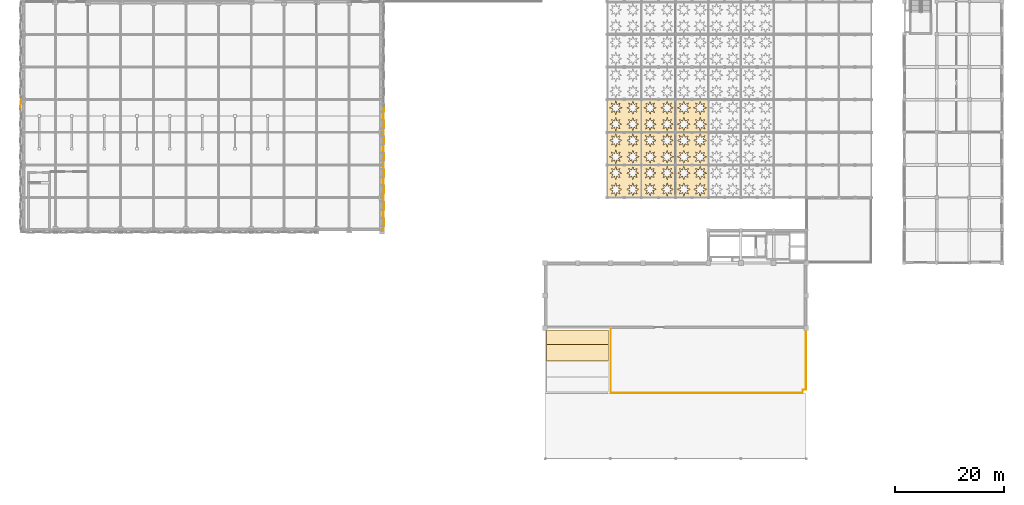
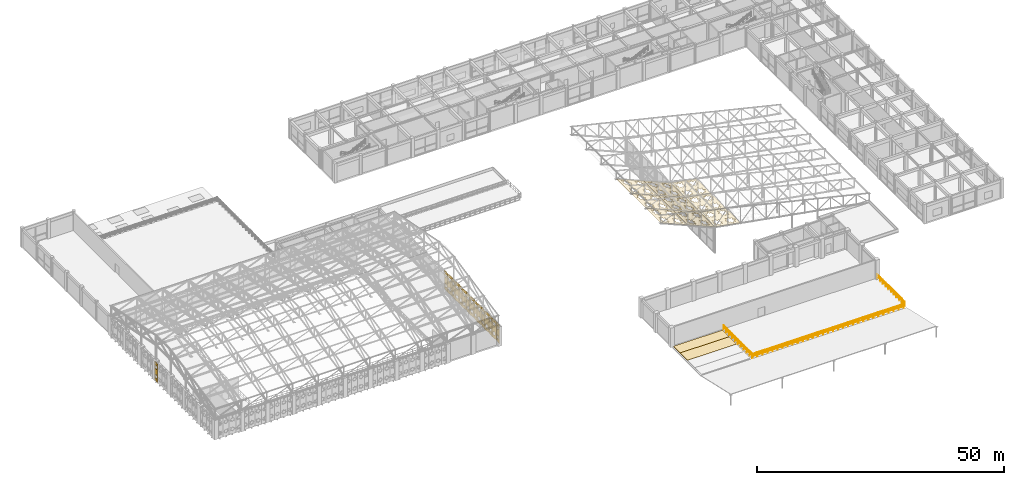
# One storey, part 107 of 112: 27 coverings, 2 railings.
"""IFC4 building model written with IfcOpenShell, lengths in metres."""

from ifc_helpers import new_model, si_unit, direction, frame, origin, origin_2d, place, context, subcontext, project, spatial, polyline, circle, outline, extrude, material, layer, layer_set, type_object, element, save


model = new_model("IFC4")

# Units and contexts
model_context = context("Model", 3, precision=1e-05, world=origin(), true_north=direction((0.0, 1.0)))
body_context = subcontext(model_context, "Body", "Model", "MODEL_VIEW")
ifc_project = project(units=[si_unit("LENGTHUNIT", "METRE"), si_unit("AREAUNIT", "SQUARE_METRE"), si_unit("VOLUMEUNIT", "CUBIC_METRE"), si_unit("PLANEANGLEUNIT", "RADIAN"), si_unit("MASSUNIT", "GRAM", prefix="KILO"), si_unit("THERMODYNAMICTEMPERATUREUNIT", "KELVIN"), si_unit("POWERUNIT", "WATT")], contexts=[model_context])

# Site, building, storey
site_placement = place(None, origin())
site = spatial("IfcSite", under=ifc_project, at=site_placement, CompositionType="ELEMENT")
building_placement = place(site_placement, origin())
building = spatial("IfcBuilding", under=site, at=building_placement, Name="Phaisarnlok Congress Hotel", CompositionType="ELEMENT")
storey_placement = place(building_placement, frame((0.0, 0.0, 19.800048828125)))
storey = spatial("IfcBuildingStorey", under=building, at=storey_placement, Name="L04", CompositionType="ELEMENT", Elevation=19.800048828125)

# Coverings
ifc_material_1 = material(Name="TPO Waterproofing Membrane & Rigid PIR Insulation", Category="other")
ifc_layer_1 = layer(ifc_material_1, 0.050048828125, Name="TPO Waterproofing Membrane & Rigid PIR Insulation")
ifc_layer_set_1 = layer_set([ifc_layer_1], Name="TPO Waterproofing Membrane & Rigid PIR Insulation")
covering_type_1 = type_object("IfcCoveringType", Name="COV-ROOF-MEMB", PredefinedType="ROOFING", material=ifc_layer_set_1)
covering_1_placement = place(storey_placement, origin())
element("IfcCovering", 1, at=covering_1_placement, inside=storey, type_object=covering_type_1, Name="Ballroom west roof waterproofing membrane RF-01", PredefinedType="ROOFING", context=body_context, shape_type="SweptSolid", body=[
    extrude(outline(polyline([(96.300048828125, 18.0), (107.699951171875, 18.0), (107.699951171875, 21.0), (96.300048828125, 21.0), (96.300048828125, 18.0)])), origin(), (0.0, 0.0, 1.0), 0.050048828125),
])
covering_2_placement = place(storey_placement, origin())
element("IfcCovering", 2, at=covering_2_placement, inside=storey, type_object=covering_type_1, Name="Ballroom west roof waterproofing membrane RF-01", PredefinedType="ROOFING", context=body_context, shape_type="SweptSolid", body=[
    extrude(outline(polyline([(96.300048828125, 21.0), (107.699951171875, 21.0), (107.699951171875, 23.699951171875), (96.300048828125, 23.699951171875), (96.300048828125, 21.0)])), origin(), (0.0, 0.0, 1.0), 0.050048828125),
])
ifc_material_2 = material(Name="Perforated Acoustic Aluminium Soffit Panel", Category="aluminium")
ifc_layer_2 = layer(ifc_material_2, 0.044921875, Name="Perforated Acoustic Aluminium Soffit Panel")
ifc_layer_set_2 = layer_set([ifc_layer_2], Name="Perforated Acoustic Aluminium Soffit Panel")
covering_type_2 = type_object("IfcCoveringType", Name="COV-SOFFIT-STAR", PredefinedType="CLADDING", material=ifc_layer_set_2)
covering_3_placement = place(storey_placement, frame((126.0, 48.0, 5.353271484375), z_axis=(0.175030745743, 0.0, 0.984562968044), x_axis=(0.0, 1.0, 0.0)))
element("IfcCovering", 3, at=covering_3_placement, inside=storey, type_object=covering_type_2, Name="Cloister wing roof star-pierced acoustic soffit panel CL-01", PredefinedType="CLADDING", context=body_context, shape_type="SweptSolid", body=[
    extrude(outline(polyline([(0.0, 0.0), (6.0, 0.0), (6.0, 6.094074421585321), (0.0, 6.094074421585321), (0.0, 0.0)]), holes=[polyline([(2.0455, 1.2976), (2.3697, 0.6538), (1.7259, 0.9781), (1.5, 0.2935), (1.2741, 0.9781), (0.6303, 0.6538), (0.9545, 1.2976), (0.27, 1.5235), (0.9545, 1.7495), (0.6303, 2.3933), (1.2741, 2.069), (1.5, 2.7535), (1.7259, 2.069), (2.3697, 2.3933), (2.0455, 1.7495), (2.73, 1.5235), (2.0455, 1.2976)]), polyline([(2.0455, 4.3446), (2.3697, 3.7008), (1.7259, 4.0251), (1.5, 3.3406), (1.2741, 4.0251), (0.6303, 3.7008), (0.9545, 4.3446), (0.27, 4.5706), (0.9545, 4.7965), (0.6303, 5.4403), (1.2741, 5.116), (1.5, 5.8006), (1.7259, 5.116), (2.3697, 5.4403), (2.0455, 4.7965), (2.73, 4.5706), (2.0455, 4.3446)]), polyline([(5.0455, 1.2976), (5.3697, 0.6538), (4.7259, 0.9781), (4.5, 0.2935), (4.2741, 0.9781), (3.6303, 0.6538), (3.9545, 1.2976), (3.27, 1.5235), (3.9545, 1.7495), (3.6303, 2.3933), (4.2741, 2.069), (4.5, 2.7535), (4.7259, 2.069), (5.3697, 2.3933), (5.0455, 1.7495), (5.73, 1.5235), (5.0455, 1.2976)]), polyline([(5.0455, 4.3446), (5.3697, 3.7008), (4.7259, 4.0251), (4.5, 3.3406), (4.2741, 4.0251), (3.6303, 3.7008), (3.9545, 4.3446), (3.27, 4.5706), (3.9545, 4.7965), (3.6303, 5.4403), (4.2741, 5.116), (4.5, 5.8006), (4.7259, 5.116), (5.3697, 5.4403), (5.0455, 4.7965), (5.73, 4.5706), (5.0455, 4.3446)])]), origin(), (0.0, 0.0, 1.0), 0.044921875),
])
covering_4_placement = place(storey_placement, frame((120.0, 48.0, 6.419921875), z_axis=(0.393910700868, 0.0, 0.919148714704), x_axis=(0.0, 1.0, 0.0)))
element("IfcCovering", 4, at=covering_4_placement, inside=storey, type_object=covering_type_2, Name="Cloister wing roof star-pierced acoustic soffit panel CL-01", PredefinedType="CLADDING", context=body_context, shape_type="SweptSolid", body=[
    extrude(outline(polyline([(0.0, 0.0), (6.0, 0.0), (6.0, 6.854221441365048), (0.0, 6.854221441365048), (0.0, 0.0)]), holes=[polyline([(2.0455, 1.4876), (2.3697, 0.8438), (1.7259, 1.1681), (1.5, 0.4835), (1.2741, 1.1681), (0.6303, 0.8438), (0.9545, 1.4876), (0.27, 1.7135), (0.9545, 1.9395), (0.6303, 2.5833), (1.2741, 2.259), (1.5, 2.9435), (1.7259, 2.259), (2.3697, 2.5833), (2.0455, 1.9395), (2.73, 1.7135), (2.0455, 1.4876)]), polyline([(2.0455, 4.9147), (2.3697, 4.2709), (1.7259, 4.5952), (1.5, 3.9106), (1.2741, 4.5952), (0.6303, 4.2709), (0.9545, 4.9147), (0.27, 5.1406), (0.9545, 5.3666), (0.6303, 6.0104), (1.2741, 5.6861), (1.5, 6.3706), (1.7259, 5.6861), (2.3697, 6.0104), (2.0455, 5.3666), (2.73, 5.1406), (2.0455, 4.9147)]), polyline([(5.0455, 1.4876), (5.3697, 0.8438), (4.7259, 1.1681), (4.5, 0.4835), (4.2741, 1.1681), (3.6303, 0.8438), (3.9545, 1.4876), (3.27, 1.7135), (3.9545, 1.9395), (3.6303, 2.5833), (4.2741, 2.259), (4.5, 2.9435), (4.7259, 2.259), (5.3697, 2.5833), (5.0455, 1.9395), (5.73, 1.7135), (5.0455, 1.4876)]), polyline([(5.0455, 4.9147), (5.3697, 4.2709), (4.7259, 4.5952), (4.5, 3.9106), (4.2741, 4.5952), (3.6303, 4.2709), (3.9545, 4.9147), (3.27, 5.1406), (3.9545, 5.3666), (3.6303, 6.0104), (4.2741, 5.6861), (4.5, 6.3706), (4.7259, 5.6861), (5.3697, 6.0104), (5.0455, 5.3666), (5.73, 5.1406), (5.0455, 4.9147)])]), origin(), (0.0, 0.0, 1.0), 0.044921875),
])
covering_5_placement = place(storey_placement, frame((113.699951171875, 48.0, 9.119873046875), z_axis=(0.393940792404, 0.0, 0.919135818081), x_axis=(0.0, 1.0, 0.0)))
element("IfcCovering", 5, at=covering_5_placement, inside=storey, type_object=covering_type_2, Name="Cloister wing roof star-pierced acoustic soffit panel CL-01", PredefinedType="CLADDING", context=body_context, shape_type="SweptSolid", body=[
    extrude(outline(polyline([(0.0, 0.0), (6.0, 0.0), (6.0, 6.854317614643062), (0.0, 6.854317614643062), (0.0, 0.0)]), holes=[polyline([(2.0455, 1.4876), (2.3697, 0.8438), (1.7259, 1.1681), (1.5, 0.4835), (1.2741, 1.1681), (0.6303, 0.8438), (0.9545, 1.4876), (0.27, 1.7135), (0.9545, 1.9395), (0.6303, 2.5833), (1.2741, 2.259), (1.5, 2.9435), (1.7259, 2.259), (2.3697, 2.5833), (2.0455, 1.9395), (2.73, 1.7135), (2.0455, 1.4876)]), polyline([(2.0455, 4.9147), (2.3697, 4.2709), (1.7259, 4.5952), (1.5, 3.9106), (1.2741, 4.5952), (0.6303, 4.2709), (0.9545, 4.9147), (0.27, 5.1406), (0.9545, 5.3666), (0.6303, 6.0104), (1.2741, 5.6861), (1.5, 6.3706), (1.7259, 5.6861), (2.3697, 6.0104), (2.0455, 5.3666), (2.73, 5.1406), (2.0455, 4.9147)]), polyline([(5.0455, 1.4876), (5.3697, 0.8438), (4.7259, 1.1681), (4.5, 0.4835), (4.2741, 1.1681), (3.6303, 0.8438), (3.9545, 1.4876), (3.27, 1.7135), (3.9545, 1.9395), (3.6303, 2.5833), (4.2741, 2.259), (4.5, 2.9435), (4.7259, 2.259), (5.3697, 2.5833), (5.0455, 1.9395), (5.73, 1.7135), (5.0455, 1.4876)]), polyline([(5.0455, 4.9147), (5.3697, 4.2709), (4.7259, 4.5952), (4.5, 3.9106), (4.2741, 4.5952), (3.6303, 4.2709), (3.9545, 4.9147), (3.27, 5.1406), (3.9545, 5.3666), (3.6303, 6.0104), (4.2741, 5.6861), (4.5, 6.3706), (4.7259, 5.6861), (5.3697, 6.0104), (5.0455, 5.3666), (5.73, 5.1406), (5.0455, 4.9147)])]), origin(), (0.0, 0.0, 1.0), 0.044921875),
])
covering_6_placement = place(storey_placement, frame((126.0, 54.0, 5.353271484375), z_axis=(0.175030745743, 0.0, 0.984562968044), x_axis=(0.0, 1.0, 0.0)))
element("IfcCovering", 6, at=covering_6_placement, inside=storey, type_object=covering_type_2, Name="Cloister wing roof star-pierced acoustic soffit panel CL-01", PredefinedType="CLADDING", context=body_context, shape_type="SweptSolid", body=[
    extrude(outline(polyline([(0.0, 0.0), (6.0, 0.0), (6.0, 6.094074421585321), (0.0, 6.094074421585321), (0.0, 0.0)]), holes=[polyline([(2.0455, 1.2976), (2.3697, 0.6538), (1.7259, 0.9781), (1.5, 0.2935), (1.2741, 0.9781), (0.6303, 0.6538), (0.9545, 1.2976), (0.27, 1.5235), (0.9545, 1.7495), (0.6303, 2.3933), (1.2741, 2.069), (1.5, 2.7535), (1.7259, 2.069), (2.3697, 2.3933), (2.0455, 1.7495), (2.73, 1.5235), (2.0455, 1.2976)]), polyline([(2.0455, 4.3446), (2.3697, 3.7008), (1.7259, 4.0251), (1.5, 3.3406), (1.2741, 4.0251), (0.6303, 3.7008), (0.9545, 4.3446), (0.27, 4.5706), (0.9545, 4.7965), (0.6303, 5.4403), (1.2741, 5.116), (1.5, 5.8006), (1.7259, 5.116), (2.3697, 5.4403), (2.0455, 4.7965), (2.73, 4.5706), (2.0455, 4.3446)]), polyline([(5.0455, 1.2976), (5.3697, 0.6538), (4.7259, 0.9781), (4.5, 0.2935), (4.2741, 0.9781), (3.6303, 0.6538), (3.9545, 1.2976), (3.27, 1.5235), (3.9545, 1.7495), (3.6303, 2.3933), (4.2741, 2.069), (4.5, 2.7535), (4.7259, 2.069), (5.3697, 2.3933), (5.0455, 1.7495), (5.73, 1.5235), (5.0455, 1.2976)]), polyline([(5.0455, 4.3446), (5.3697, 3.7008), (4.7259, 4.0251), (4.5, 3.3406), (4.2741, 4.0251), (3.6303, 3.7008), (3.9545, 4.3446), (3.27, 4.5706), (3.9545, 4.7965), (3.6303, 5.4403), (4.2741, 5.116), (4.5, 5.8006), (4.7259, 5.116), (5.3697, 5.4403), (5.0455, 4.7965), (5.73, 4.5706), (5.0455, 4.3446)])]), origin(), (0.0, 0.0, 1.0), 0.044921875),
])
covering_7_placement = place(storey_placement, frame((120.0, 54.0, 6.419921875), z_axis=(0.393910700868, 0.0, 0.919148714704), x_axis=(0.0, 1.0, 0.0)))
element("IfcCovering", 7, at=covering_7_placement, inside=storey, type_object=covering_type_2, Name="Cloister wing roof star-pierced acoustic soffit panel CL-01", PredefinedType="CLADDING", context=body_context, shape_type="SweptSolid", body=[
    extrude(outline(polyline([(0.0, 0.0), (6.0, 0.0), (6.0, 6.854221441365048), (0.0, 6.854221441365048), (0.0, 0.0)]), holes=[polyline([(2.0455, 1.4876), (2.3697, 0.8438), (1.7259, 1.1681), (1.5, 0.4835), (1.2741, 1.1681), (0.6303, 0.8438), (0.9545, 1.4876), (0.27, 1.7135), (0.9545, 1.9395), (0.6303, 2.5833), (1.2741, 2.259), (1.5, 2.9435), (1.7259, 2.259), (2.3697, 2.5833), (2.0455, 1.9395), (2.73, 1.7135), (2.0455, 1.4876)]), polyline([(2.0455, 4.9147), (2.3697, 4.2709), (1.7259, 4.5952), (1.5, 3.9106), (1.2741, 4.5952), (0.6303, 4.2709), (0.9545, 4.9147), (0.27, 5.1406), (0.9545, 5.3666), (0.6303, 6.0104), (1.2741, 5.6861), (1.5, 6.3706), (1.7259, 5.6861), (2.3697, 6.0104), (2.0455, 5.3666), (2.73, 5.1406), (2.0455, 4.9147)]), polyline([(5.0455, 1.4876), (5.3697, 0.8438), (4.7259, 1.1681), (4.5, 0.4835), (4.2741, 1.1681), (3.6303, 0.8438), (3.9545, 1.4876), (3.27, 1.7135), (3.9545, 1.9395), (3.6303, 2.5833), (4.2741, 2.259), (4.5, 2.9435), (4.7259, 2.259), (5.3697, 2.5833), (5.0455, 1.9395), (5.73, 1.7135), (5.0455, 1.4876)]), polyline([(5.0455, 4.9147), (5.3697, 4.2709), (4.7259, 4.5952), (4.5, 3.9106), (4.2741, 4.5952), (3.6303, 4.2709), (3.9545, 4.9147), (3.27, 5.1406), (3.9545, 5.3666), (3.6303, 6.0104), (4.2741, 5.6861), (4.5, 6.3706), (4.7259, 5.6861), (5.3697, 6.0104), (5.0455, 5.3666), (5.73, 5.1406), (5.0455, 4.9147)])]), origin(), (0.0, 0.0, 1.0), 0.044921875),
])
covering_8_placement = place(storey_placement, frame((113.699951171875, 54.0, 9.119873046875), z_axis=(0.393940792404, 0.0, 0.919135818081), x_axis=(0.0, 1.0, 0.0)))
element("IfcCovering", 8, at=covering_8_placement, inside=storey, type_object=covering_type_2, Name="Cloister wing roof star-pierced acoustic soffit panel CL-01", PredefinedType="CLADDING", context=body_context, shape_type="SweptSolid", body=[
    extrude(outline(polyline([(0.0, 0.0), (6.0, 0.0), (6.0, 6.854317614643062), (0.0, 6.854317614643062), (0.0, 0.0)]), holes=[polyline([(2.0455, 1.4876), (2.3697, 0.8438), (1.7259, 1.1681), (1.5, 0.4835), (1.2741, 1.1681), (0.6303, 0.8438), (0.9545, 1.4876), (0.27, 1.7135), (0.9545, 1.9395), (0.6303, 2.5833), (1.2741, 2.259), (1.5, 2.9435), (1.7259, 2.259), (2.3697, 2.5833), (2.0455, 1.9395), (2.73, 1.7135), (2.0455, 1.4876)]), polyline([(2.0455, 4.9147), (2.3697, 4.2709), (1.7259, 4.5952), (1.5, 3.9106), (1.2741, 4.5952), (0.6303, 4.2709), (0.9545, 4.9147), (0.27, 5.1406), (0.9545, 5.3666), (0.6303, 6.0104), (1.2741, 5.6861), (1.5, 6.3706), (1.7259, 5.6861), (2.3697, 6.0104), (2.0455, 5.3666), (2.73, 5.1406), (2.0455, 4.9147)]), polyline([(5.0455, 1.4876), (5.3697, 0.8438), (4.7259, 1.1681), (4.5, 0.4835), (4.2741, 1.1681), (3.6303, 0.8438), (3.9545, 1.4876), (3.27, 1.7135), (3.9545, 1.9395), (3.6303, 2.5833), (4.2741, 2.259), (4.5, 2.9435), (4.7259, 2.259), (5.3697, 2.5833), (5.0455, 1.9395), (5.73, 1.7135), (5.0455, 1.4876)]), polyline([(5.0455, 4.9147), (5.3697, 4.2709), (4.7259, 4.5952), (4.5, 3.9106), (4.2741, 4.5952), (3.6303, 4.2709), (3.9545, 4.9147), (3.27, 5.1406), (3.9545, 5.3666), (3.6303, 6.0104), (4.2741, 5.6861), (4.5, 6.3706), (4.7259, 5.6861), (5.3697, 6.0104), (5.0455, 5.3666), (5.73, 5.1406), (5.0455, 4.9147)])]), origin(), (0.0, 0.0, 1.0), 0.044921875),
])
covering_9_placement = place(storey_placement, frame((126.0, 60.0, 5.353271484375), z_axis=(0.175030745743, 0.0, 0.984562968044), x_axis=(0.0, 1.0, 0.0)))
element("IfcCovering", 9, at=covering_9_placement, inside=storey, type_object=covering_type_2, Name="Cloister wing roof star-pierced acoustic soffit panel CL-01", PredefinedType="CLADDING", context=body_context, shape_type="SweptSolid", body=[
    extrude(outline(polyline([(0.0, 0.0), (6.0, 0.0), (6.0, 6.094074421585321), (0.0, 6.094074421585321), (0.0, 0.0)]), holes=[polyline([(2.0455, 1.2976), (2.3697, 0.6538), (1.7259, 0.9781), (1.5, 0.2935), (1.2741, 0.9781), (0.6303, 0.6538), (0.9545, 1.2976), (0.27, 1.5235), (0.9545, 1.7495), (0.6303, 2.3933), (1.2741, 2.069), (1.5, 2.7535), (1.7259, 2.069), (2.3697, 2.3933), (2.0455, 1.7495), (2.73, 1.5235), (2.0455, 1.2976)]), polyline([(2.0455, 4.3446), (2.3697, 3.7008), (1.7259, 4.0251), (1.5, 3.3406), (1.2741, 4.0251), (0.6303, 3.7008), (0.9545, 4.3446), (0.27, 4.5706), (0.9545, 4.7965), (0.6303, 5.4403), (1.2741, 5.116), (1.5, 5.8006), (1.7259, 5.116), (2.3697, 5.4403), (2.0455, 4.7965), (2.73, 4.5706), (2.0455, 4.3446)]), polyline([(5.0455, 1.2976), (5.3697, 0.6538), (4.7259, 0.9781), (4.5, 0.2935), (4.2741, 0.9781), (3.6303, 0.6538), (3.9545, 1.2976), (3.27, 1.5235), (3.9545, 1.7495), (3.6303, 2.3933), (4.2741, 2.069), (4.5, 2.7535), (4.7259, 2.069), (5.3697, 2.3933), (5.0455, 1.7495), (5.73, 1.5235), (5.0455, 1.2976)]), polyline([(5.0455, 4.3446), (5.3697, 3.7008), (4.7259, 4.0251), (4.5, 3.3406), (4.2741, 4.0251), (3.6303, 3.7008), (3.9545, 4.3446), (3.27, 4.5706), (3.9545, 4.7965), (3.6303, 5.4403), (4.2741, 5.116), (4.5, 5.8006), (4.7259, 5.116), (5.3697, 5.4403), (5.0455, 4.7965), (5.73, 4.5706), (5.0455, 4.3446)])]), origin(), (0.0, 0.0, 1.0), 0.044921875),
])
covering_10_placement = place(storey_placement, frame((120.0, 60.0, 6.419921875), z_axis=(0.393910700868, 0.0, 0.919148714704), x_axis=(0.0, 1.0, 0.0)))
element("IfcCovering", 10, at=covering_10_placement, inside=storey, type_object=covering_type_2, Name="Cloister wing roof star-pierced acoustic soffit panel CL-01", PredefinedType="CLADDING", context=body_context, shape_type="SweptSolid", body=[
    extrude(outline(polyline([(0.0, 0.0), (6.0, 0.0), (6.0, 6.854221441365048), (0.0, 6.854221441365048), (0.0, 0.0)]), holes=[polyline([(2.0455, 1.4876), (2.3697, 0.8438), (1.7259, 1.1681), (1.5, 0.4835), (1.2741, 1.1681), (0.6303, 0.8438), (0.9545, 1.4876), (0.27, 1.7135), (0.9545, 1.9395), (0.6303, 2.5833), (1.2741, 2.259), (1.5, 2.9435), (1.7259, 2.259), (2.3697, 2.5833), (2.0455, 1.9395), (2.73, 1.7135), (2.0455, 1.4876)]), polyline([(2.0455, 4.9147), (2.3697, 4.2709), (1.7259, 4.5952), (1.5, 3.9106), (1.2741, 4.5952), (0.6303, 4.2709), (0.9545, 4.9147), (0.27, 5.1406), (0.9545, 5.3666), (0.6303, 6.0104), (1.2741, 5.6861), (1.5, 6.3706), (1.7259, 5.6861), (2.3697, 6.0104), (2.0455, 5.3666), (2.73, 5.1406), (2.0455, 4.9147)]), polyline([(5.0455, 1.4876), (5.3697, 0.8438), (4.7259, 1.1681), (4.5, 0.4835), (4.2741, 1.1681), (3.6303, 0.8438), (3.9545, 1.4876), (3.27, 1.7135), (3.9545, 1.9395), (3.6303, 2.5833), (4.2741, 2.259), (4.5, 2.9435), (4.7259, 2.259), (5.3697, 2.5833), (5.0455, 1.9395), (5.73, 1.7135), (5.0455, 1.4876)]), polyline([(5.0455, 4.9147), (5.3697, 4.2709), (4.7259, 4.5952), (4.5, 3.9106), (4.2741, 4.5952), (3.6303, 4.2709), (3.9545, 4.9147), (3.27, 5.1406), (3.9545, 5.3666), (3.6303, 6.0104), (4.2741, 5.6861), (4.5, 6.3706), (4.7259, 5.6861), (5.3697, 6.0104), (5.0455, 5.3666), (5.73, 5.1406), (5.0455, 4.9147)])]), origin(), (0.0, 0.0, 1.0), 0.044921875),
])
covering_11_placement = place(storey_placement, frame((113.699951171875, 60.0, 9.119873046875), z_axis=(0.393940792404, 0.0, 0.919135818081), x_axis=(0.0, 1.0, 0.0)))
element("IfcCovering", 11, at=covering_11_placement, inside=storey, type_object=covering_type_2, Name="Cloister wing roof star-pierced acoustic soffit panel CL-01", PredefinedType="CLADDING", context=body_context, shape_type="SweptSolid", body=[
    extrude(outline(polyline([(0.0, 0.0), (6.0, 0.0), (6.0, 6.854317614643062), (0.0, 6.854317614643062), (0.0, 0.0)]), holes=[polyline([(2.0455, 1.4876), (2.3697, 0.8438), (1.7259, 1.1681), (1.5, 0.4835), (1.2741, 1.1681), (0.6303, 0.8438), (0.9545, 1.4876), (0.27, 1.7135), (0.9545, 1.9395), (0.6303, 2.5833), (1.2741, 2.259), (1.5, 2.9435), (1.7259, 2.259), (2.3697, 2.5833), (2.0455, 1.9395), (2.73, 1.7135), (2.0455, 1.4876)]), polyline([(2.0455, 4.9147), (2.3697, 4.2709), (1.7259, 4.5952), (1.5, 3.9106), (1.2741, 4.5952), (0.6303, 4.2709), (0.9545, 4.9147), (0.27, 5.1406), (0.9545, 5.3666), (0.6303, 6.0104), (1.2741, 5.6861), (1.5, 6.3706), (1.7259, 5.6861), (2.3697, 6.0104), (2.0455, 5.3666), (2.73, 5.1406), (2.0455, 4.9147)]), polyline([(5.0455, 1.4876), (5.3697, 0.8438), (4.7259, 1.1681), (4.5, 0.4835), (4.2741, 1.1681), (3.6303, 0.8438), (3.9545, 1.4876), (3.27, 1.7135), (3.9545, 1.9395), (3.6303, 2.5833), (4.2741, 2.259), (4.5, 2.9435), (4.7259, 2.259), (5.3697, 2.5833), (5.0455, 1.9395), (5.73, 1.7135), (5.0455, 1.4876)]), polyline([(5.0455, 4.9147), (5.3697, 4.2709), (4.7259, 4.5952), (4.5, 3.9106), (4.2741, 4.5952), (3.6303, 4.2709), (3.9545, 4.9147), (3.27, 5.1406), (3.9545, 5.3666), (3.6303, 6.0104), (4.2741, 5.6861), (4.5, 6.3706), (4.7259, 5.6861), (5.3697, 6.0104), (5.0455, 5.3666), (5.73, 5.1406), (5.0455, 4.9147)])]), origin(), (0.0, 0.0, 1.0), 0.044921875),
])
ifc_material_3 = material(Name="PVDF White Perforated Aluminium Alloy 5052", Category="aluminium")
ifc_layer_3 = layer(ifc_material_3, 0.0400390625, Name="PVDF White Perforated Aluminium Alloy 5052")
ifc_layer_set_3 = layer_set([ifc_layer_3], Name="PVDF White Perforated Aluminium Alloy 5052")
covering_type_3 = type_object("IfcCoveringType", Name="COV-STAR-FOLD", PredefinedType="CLADDING", material=ifc_layer_set_3)
for number, where, z_axis, x_axis, name in (
    (12, (-0.457763671875, 64.5, 0.06005859375), (0.994517863207, -0.104566819602, 0.0), (0.104566819602, 0.994517863207, 0.0), "Folded star-perforated hall screen SS-02 (V1W L04)"),
    (13, (66.457763671875, 43.5, 0.06005859375), (-0.994517863207, 0.104566819602, 0.0), (-0.104566819602, -0.994517863207, 0.0), "Folded star-perforated hall screen SS-02 (V1E L04)"),
    (14, (66.300048828125, 45.0, 0.06005859375), (-0.994517863207, -0.104566819602, 0.0), (0.104566819602, -0.994517863207, 0.0), "Folded star-perforated hall screen SS-02 (V1E L04)"),
    (15, (66.457763671875, 46.5, 0.06005859375), (-0.994517863207, 0.104566819602, 0.0), (-0.104566819602, -0.994517863207, 0.0), "Folded star-perforated hall screen SS-02 (V1E L04)"),
    (16, (66.300048828125, 48.0, 0.06005859375), (-0.994517863207, -0.104566819602, 0.0), (0.104566819602, -0.994517863207, 0.0), "Folded star-perforated hall screen SS-02 (V1E L04)"),
    (17, (66.457763671875, 49.5, 0.06005859375), (-0.994517863207, 0.104566819602, 0.0), (-0.104566819602, -0.994517863207, 0.0), "Folded star-perforated hall screen SS-02 (V1E L04)"),
    (18, (66.300048828125, 51.0, 0.06005859375), (-0.994517863207, -0.104566819602, 0.0), (0.104566819602, -0.994517863207, 0.0), "Folded star-perforated hall screen SS-02 (V1E L04)"),
    (19, (66.457763671875, 52.5, 0.06005859375), (-0.994517863207, 0.104566819602, 0.0), (-0.104566819602, -0.994517863207, 0.0), "Folded star-perforated hall screen SS-02 (V1E L04)"),
    (20, (66.300048828125, 54.0, 0.06005859375), (-0.994517863207, -0.104566819602, 0.0), (0.104566819602, -0.994517863207, 0.0), "Folded star-perforated hall screen SS-02 (V1E L04)"),
    (21, (66.457763671875, 55.5, 0.06005859375), (-0.994517863207, 0.104566819602, 0.0), (-0.104566819602, -0.994517863207, 0.0), "Folded star-perforated hall screen SS-02 (V1E L04)"),
    (22, (66.300048828125, 57.0, 0.06005859375), (-0.994517863207, -0.104566819602, 0.0), (0.104566819602, -0.994517863207, 0.0), "Folded star-perforated hall screen SS-02 (V1E L04)"),
    (23, (66.457763671875, 58.5, 0.06005859375), (-0.994517863207, 0.104566819602, 0.0), (-0.104566819602, -0.994517863207, 0.0), "Folded star-perforated hall screen SS-02 (V1E L04)"),
    (24, (66.300048828125, 60.0, 0.06005859375), (-0.994517863207, -0.104566819602, 0.0), (0.104566819602, -0.994517863207, 0.0), "Folded star-perforated hall screen SS-02 (V1E L04)"),
    (25, (66.457763671875, 61.5, 0.06005859375), (-0.994517863207, 0.104566819602, 0.0), (-0.104566819602, -0.994517863207, 0.0), "Folded star-perforated hall screen SS-02 (V1E L04)"),
    (26, (66.300048828125, 63.0, 0.06005859375), (-0.994517863207, -0.104566819602, 0.0), (0.104566819602, -0.994517863207, 0.0), "Folded star-perforated hall screen SS-02 (V1E L04)"),
    (27, (66.457763671875, 64.5, 0.06005859375), (-0.994517863207, 0.104566819602, 0.0), (-0.104566819602, -0.994517863207, 0.0), "Folded star-perforated hall screen SS-02 (V1E L04)"),
):
    element("IfcCovering", number, at=place(storey_placement, frame(where, z_axis=z_axis, x_axis=x_axis)), inside=storey, type_object=covering_type_3, Name=name, PredefinedType="CLADDING", context=body_context, shape_type="SweptSolid", body=[
        extrude(outline(polyline([(0.0, 0.0), (1.5082685344258453, 0.0), (1.5082685344258453, 4.659912109375), (0.0, 4.659912109375), (0.0, 0.0)]), holes=[polyline([(1.0351, 1.0486), (1.2021, 0.7171), (0.8705, 0.8841), (0.7541, 0.5315), (0.6378, 0.8841), (0.3062, 0.7171), (0.4732, 1.0486), (0.1207, 1.165), (0.4732, 1.2814), (0.3062, 1.6129), (0.6378, 1.4459), (0.7541, 1.7985), (0.8705, 1.4459), (1.2021, 1.6129), (1.0351, 1.2814), (1.3876, 1.165), (1.0351, 1.0486)]), polyline([(1.0351, 3.3786), (1.2021, 3.0471), (0.8705, 3.2141), (0.7541, 2.8615), (0.6378, 3.2141), (0.3062, 3.0471), (0.4732, 3.3786), (0.1207, 3.495), (0.4732, 3.6114), (0.3062, 3.9429), (0.6378, 3.7759), (0.7541, 4.1285), (0.8705, 3.7759), (1.2021, 3.9429), (1.0351, 3.6114), (1.3876, 3.495), (1.0351, 3.3786)])]), origin(), (0.0, 0.0, 1.0), 0.0400390625),
    ])

# Railings
ifc_material_4 = material(Name="Laminated Glass & Stainless Steel Grade 316", Category="steel")
railing_type = type_object("IfcRailingType", Name="RLG-TER-1100", PredefinedType="BALUSTRADE", material=ifc_material_4)
railing_1_placement = place(storey_placement, frame((108.06005859375, 12.06005859375, 0.0)))
element("IfcRailing", 28, at=railing_1_placement, inside=storey, type_object=railing_type, Name="Terrace balustrade guard GD-01 (L04 ballroom_garden)", PredefinedType="BALUSTRADE", context=body_context, shape_type="SweptSolid", body=[
    extrude(circle(Radius=0.02392578125, at=origin_2d()), frame((0.0, 0.0, 1.076171875), z_axis=(0.0, 1.0, 0.0), x_axis=(-1.0, 0.0, 0.0)), (0.0, 0.0, 1.0), 11.699951171875),
    extrude(circle(Radius=0.02392578125, at=origin_2d()), frame((0.0, 0.0, 0.52587890625), z_axis=(0.0, 1.0, 0.0), x_axis=(-1.0, 0.0, 0.0)), (0.0, 0.0, 1.0), 11.699951171875),
    extrude(circle(Radius=0.02099609375, at=origin_2d()), origin(), (0.0, 0.0, 1.0), 1.052001953125),
    extrude(circle(Radius=0.02099609375, at=origin_2d()), frame((0.0, 1.169921875, 0.0)), (0.0, 0.0, 1.0), 1.052001953125),
    extrude(circle(Radius=0.02099609375, at=origin_2d()), frame((0.0, 2.340087890625, 0.0)), (0.0, 0.0, 1.0), 1.052001953125),
    extrude(circle(Radius=0.02099609375, at=origin_2d()), frame((0.0, 3.510009765625, 0.0)), (0.0, 0.0, 1.0), 1.052001953125),
    extrude(circle(Radius=0.02099609375, at=origin_2d()), frame((0.0, 4.679931640625, 0.0)), (0.0, 0.0, 1.0), 1.052001953125),
    extrude(circle(Radius=0.02099609375, at=origin_2d()), frame((0.0, 5.85009765625, 0.0)), (0.0, 0.0, 1.0), 1.052001953125),
    extrude(circle(Radius=0.02099609375, at=origin_2d()), frame((0.0, 7.02001953125, 0.0)), (0.0, 0.0, 1.0), 1.052001953125),
    extrude(circle(Radius=0.02099609375, at=origin_2d()), frame((0.0, 8.18994140625, 0.0)), (0.0, 0.0, 1.0), 1.052001953125),
    extrude(circle(Radius=0.02099609375, at=origin_2d()), frame((0.0, 9.35986328125, 0.0)), (0.0, 0.0, 1.0), 1.052001953125),
    extrude(circle(Radius=0.02099609375, at=origin_2d()), frame((0.0, 10.530029296875, 0.0)), (0.0, 0.0, 1.0), 1.052001953125),
    extrude(circle(Radius=0.02099609375, at=origin_2d()), frame((0.0, 11.699951171875, 0.0)), (0.0, 0.0, 1.0), 1.052001953125),
])
railing_2_placement = place(storey_placement, frame((143.93994140625, 23.760009765625, 0.0)))
element("IfcRailing", 29, at=railing_2_placement, inside=storey, type_object=railing_type, Name="Terrace balustrade guard GD-01 (L04 ballroom_garden)", PredefinedType="BALUSTRADE", context=body_context, shape_type="SweptSolid", body=[
    extrude(circle(Radius=0.02392578125, at=origin_2d()), frame((0.0, 0.0, 1.076171875), z_axis=(0.0, -1.0, 0.0), x_axis=(1.0, 0.0, 0.0)), (0.0, 0.0, 1.0), 11.10009765625),
    extrude(circle(Radius=0.02392578125, at=origin_2d()), frame((0.0, 0.0, 0.52587890625), z_axis=(0.0, -1.0, 0.0), x_axis=(1.0, 0.0, 0.0)), (0.0, 0.0, 1.0), 11.10009765625),
    extrude(circle(Radius=0.02392578125, at=origin_2d()), frame((0.0, -11.10009765625, 1.076171875), z_axis=(-1.0, 0.0, 0.0), x_axis=(0.0, -1.0, 0.0)), (0.0, 0.0, 1.0), 0.599853515625),
    extrude(circle(Radius=0.02392578125, at=origin_2d()), frame((0.0, -11.10009765625, 0.52587890625), z_axis=(-1.0, 0.0, 0.0), x_axis=(0.0, -1.0, 0.0)), (0.0, 0.0, 1.0), 0.599853515625),
    extrude(circle(Radius=0.02392578125, at=origin_2d()), frame((-0.599853515625, -11.10009765625, 1.076171875), z_axis=(0.0, -1.0, 0.0), x_axis=(1.0, 0.0, 0.0)), (0.0, 0.0, 1.0), 0.599853515625),
    extrude(circle(Radius=0.02392578125, at=origin_2d()), frame((-0.599853515625, -11.10009765625, 0.52587890625), z_axis=(0.0, -1.0, 0.0), x_axis=(1.0, 0.0, 0.0)), (0.0, 0.0, 1.0), 0.599853515625),
    extrude(circle(Radius=0.02392578125, at=origin_2d()), frame((-0.599853515625, -11.699951171875, 1.076171875), z_axis=(-1.0, 0.0, 0.0), x_axis=(0.0, -1.0, 0.0)), (0.0, 0.0, 1.0), 35.280029296875),
    extrude(circle(Radius=0.02392578125, at=origin_2d()), frame((-0.599853515625, -11.699951171875, 0.52587890625), z_axis=(-1.0, 0.0, 0.0), x_axis=(0.0, -1.0, 0.0)), (0.0, 0.0, 1.0), 35.280029296875),
    extrude(circle(Radius=0.02099609375, at=origin_2d()), origin(), (0.0, 0.0, 1.0), 1.052001953125),
    extrude(circle(Radius=0.02099609375, at=origin_2d()), frame((0.0, -1.110107421875, 0.0)), (0.0, 0.0, 1.0), 1.052001953125),
    extrude(circle(Radius=0.02099609375, at=origin_2d()), frame((0.0, -2.219970703125, 0.0)), (0.0, 0.0, 1.0), 1.052001953125),
    extrude(circle(Radius=0.02099609375, at=origin_2d()), frame((0.0, -3.330078125, 0.0)), (0.0, 0.0, 1.0), 1.052001953125),
    extrude(circle(Radius=0.02099609375, at=origin_2d()), frame((0.0, -4.43994140625, 0.0)), (0.0, 0.0, 1.0), 1.052001953125),
    extrude(circle(Radius=0.02099609375, at=origin_2d()), frame((0.0, -5.550048828125, 0.0)), (0.0, 0.0, 1.0), 1.052001953125),
    extrude(circle(Radius=0.02099609375, at=origin_2d()), frame((0.0, -6.66015625, 0.0)), (0.0, 0.0, 1.0), 1.052001953125),
    extrude(circle(Radius=0.02099609375, at=origin_2d()), frame((0.0, -7.77001953125, 0.0)), (0.0, 0.0, 1.0), 1.052001953125),
    extrude(circle(Radius=0.02099609375, at=origin_2d()), frame((0.0, -8.880126953125, 0.0)), (0.0, 0.0, 1.0), 1.052001953125),
    extrude(circle(Radius=0.02099609375, at=origin_2d()), frame((0.0, -9.989990234375, 0.0)), (0.0, 0.0, 1.0), 1.052001953125),
    extrude(circle(Radius=0.02099609375, at=origin_2d()), frame((0.0, -11.10009765625, 0.0)), (0.0, 0.0, 1.0), 1.052001953125),
    extrude(circle(Radius=0.02099609375, at=origin_2d()), frame((-0.599853515625, -11.10009765625, 0.0)), (0.0, 0.0, 1.0), 1.052001953125),
    extrude(circle(Radius=0.02099609375, at=origin_2d()), frame((-0.599853515625, -11.699951171875, 0.0)), (0.0, 0.0, 1.0), 1.052001953125),
    extrude(circle(Radius=0.02099609375, at=origin_2d()), frame((-1.77587890625, -11.699951171875, 0.0)), (0.0, 0.0, 1.0), 1.052001953125),
    extrude(circle(Radius=0.02099609375, at=origin_2d()), frame((-2.951904296875, -11.699951171875, 0.0)), (0.0, 0.0, 1.0), 1.052001953125),
    extrude(circle(Radius=0.02099609375, at=origin_2d()), frame((-4.1279296875, -11.699951171875, 0.0)), (0.0, 0.0, 1.0), 1.052001953125),
    extrude(circle(Radius=0.02099609375, at=origin_2d()), frame((-5.303955078125, -11.699951171875, 0.0)), (0.0, 0.0, 1.0), 1.052001953125),
    extrude(circle(Radius=0.02099609375, at=origin_2d()), frame((-6.47998046875, -11.699951171875, 0.0)), (0.0, 0.0, 1.0), 1.052001953125),
    extrude(circle(Radius=0.02099609375, at=origin_2d()), frame((-7.65576171875, -11.699951171875, 0.0)), (0.0, 0.0, 1.0), 1.052001953125),
    extrude(circle(Radius=0.02099609375, at=origin_2d()), frame((-8.831787109375, -11.699951171875, 0.0)), (0.0, 0.0, 1.0), 1.052001953125),
    extrude(circle(Radius=0.02099609375, at=origin_2d()), frame((-10.0078125, -11.699951171875, 0.0)), (0.0, 0.0, 1.0), 1.052001953125),
    extrude(circle(Radius=0.02099609375, at=origin_2d()), frame((-11.183837890625, -11.699951171875, 0.0)), (0.0, 0.0, 1.0), 1.052001953125),
    extrude(circle(Radius=0.02099609375, at=origin_2d()), frame((-12.35986328125, -11.699951171875, 0.0)), (0.0, 0.0, 1.0), 1.052001953125),
    extrude(circle(Radius=0.02099609375, at=origin_2d()), frame((-13.535888671875, -11.699951171875, 0.0)), (0.0, 0.0, 1.0), 1.052001953125),
    extrude(circle(Radius=0.02099609375, at=origin_2d()), frame((-14.7119140625, -11.699951171875, 0.0)), (0.0, 0.0, 1.0), 1.052001953125),
    extrude(circle(Radius=0.02099609375, at=origin_2d()), frame((-15.887939453125, -11.699951171875, 0.0)), (0.0, 0.0, 1.0), 1.052001953125),
    extrude(circle(Radius=0.02099609375, at=origin_2d()), frame((-17.06396484375, -11.699951171875, 0.0)), (0.0, 0.0, 1.0), 1.052001953125),
    extrude(circle(Radius=0.02099609375, at=origin_2d()), frame((-18.23974609375, -11.699951171875, 0.0)), (0.0, 0.0, 1.0), 1.052001953125),
    extrude(circle(Radius=0.02099609375, at=origin_2d()), frame((-19.415771484375, -11.699951171875, 0.0)), (0.0, 0.0, 1.0), 1.052001953125),
    extrude(circle(Radius=0.02099609375, at=origin_2d()), frame((-20.591796875, -11.699951171875, 0.0)), (0.0, 0.0, 1.0), 1.052001953125),
    extrude(circle(Radius=0.02099609375, at=origin_2d()), frame((-21.767822265625, -11.699951171875, 0.0)), (0.0, 0.0, 1.0), 1.052001953125),
    extrude(circle(Radius=0.02099609375, at=origin_2d()), frame((-22.94384765625, -11.699951171875, 0.0)), (0.0, 0.0, 1.0), 1.052001953125),
    extrude(circle(Radius=0.02099609375, at=origin_2d()), frame((-24.119873046875, -11.699951171875, 0.0)), (0.0, 0.0, 1.0), 1.052001953125),
    extrude(circle(Radius=0.02099609375, at=origin_2d()), frame((-25.2958984375, -11.699951171875, 0.0)), (0.0, 0.0, 1.0), 1.052001953125),
    extrude(circle(Radius=0.02099609375, at=origin_2d()), frame((-26.471923828125, -11.699951171875, 0.0)), (0.0, 0.0, 1.0), 1.052001953125),
    extrude(circle(Radius=0.02099609375, at=origin_2d()), frame((-27.64794921875, -11.699951171875, 0.0)), (0.0, 0.0, 1.0), 1.052001953125),
    extrude(circle(Radius=0.02099609375, at=origin_2d()), frame((-28.823974609375, -11.699951171875, 0.0)), (0.0, 0.0, 1.0), 1.052001953125),
    extrude(circle(Radius=0.02099609375, at=origin_2d()), frame((-30.0, -11.699951171875, 0.0)), (0.0, 0.0, 1.0), 1.052001953125),
    extrude(circle(Radius=0.02099609375, at=origin_2d()), frame((-31.17578125, -11.699951171875, 0.0)), (0.0, 0.0, 1.0), 1.052001953125),
    extrude(circle(Radius=0.02099609375, at=origin_2d()), frame((-32.351806640625, -11.699951171875, 0.0)), (0.0, 0.0, 1.0), 1.052001953125),
    extrude(circle(Radius=0.02099609375, at=origin_2d()), frame((-33.52783203125, -11.699951171875, 0.0)), (0.0, 0.0, 1.0), 1.052001953125),
    extrude(circle(Radius=0.02099609375, at=origin_2d()), frame((-34.703857421875, -11.699951171875, 0.0)), (0.0, 0.0, 1.0), 1.052001953125),
    extrude(circle(Radius=0.02099609375, at=origin_2d()), frame((-35.8798828125, -11.699951171875, 0.0)), (0.0, 0.0, 1.0), 1.052001953125),
])

save(model, "model.ifc")
